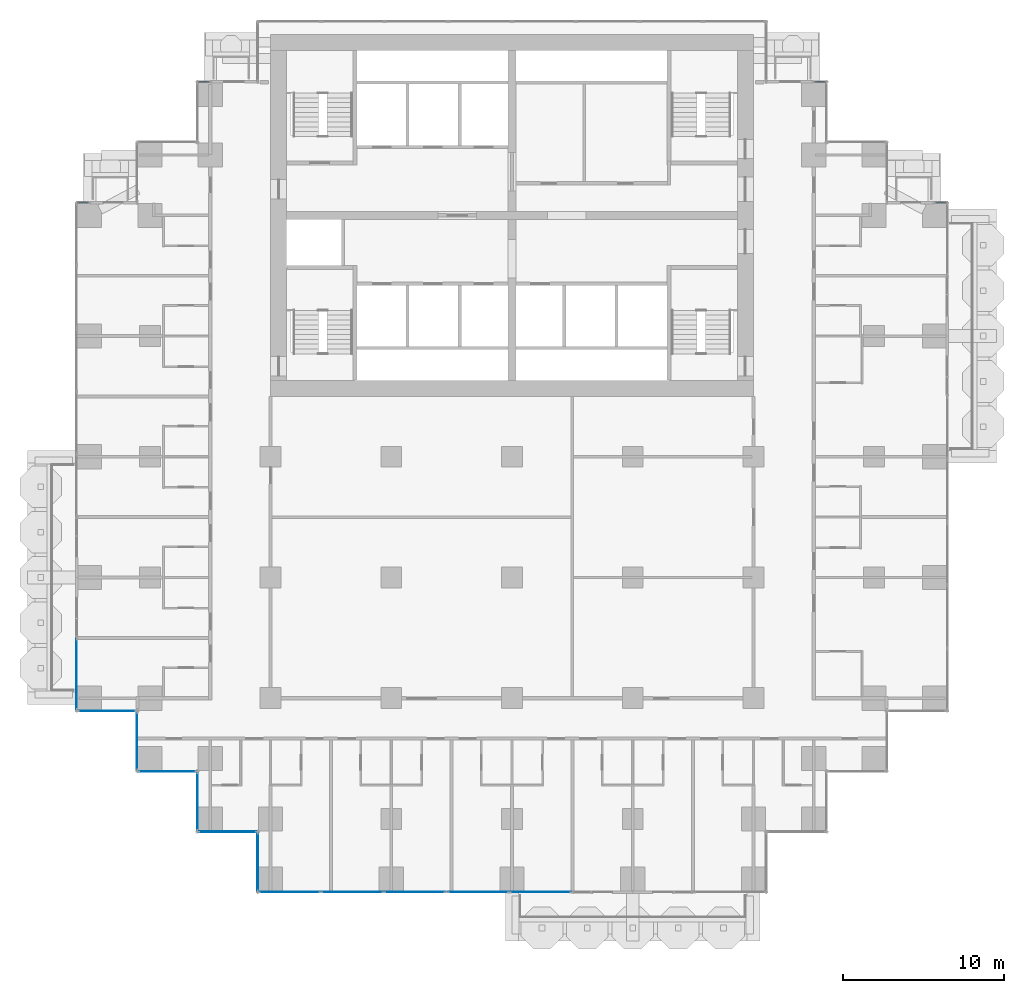
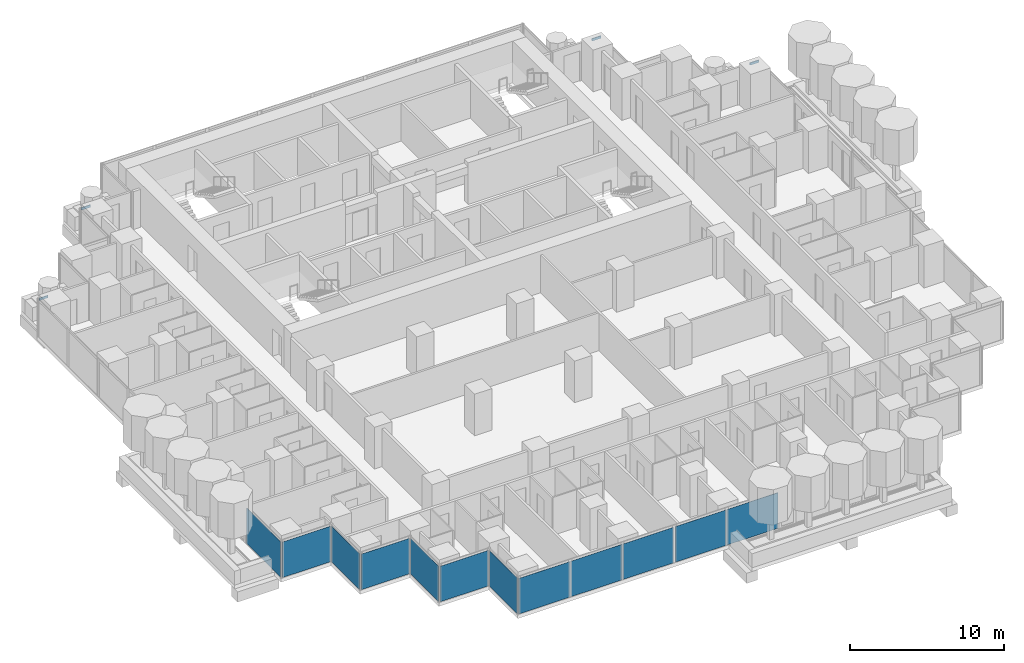
# One storey, part 7 of 20: 12 plates, 4 members, 13 elements without a shape of their own.
"""IFC4 building model written with IfcOpenShell, lengths in metres."""

from ifc_helpers import new_model, si_unit, direction, frame, origin, origin_2d, place, context, subcontext, project, spatial, rectangle, extrude, material, layer, layer_set, material_profile, profile_set, type_object, element, aggregate, save


model = new_model("IFC4")

# Units and contexts
model_context = context("Model", 3, precision=1e-05, world=origin(), true_north=direction((0.0, 1.0)))
body_context = subcontext(model_context, "Body", "Model", "MODEL_VIEW")
ifc_project = project(units=[si_unit("LENGTHUNIT", "METRE"), si_unit("AREAUNIT", "SQUARE_METRE"), si_unit("VOLUMEUNIT", "CUBIC_METRE"), si_unit("PLANEANGLEUNIT", "RADIAN"), si_unit("MASSUNIT", "GRAM", prefix="KILO")], contexts=[model_context])

# Site, building, storey
site_placement = place(None, origin())
site = spatial("IfcSite", under=ifc_project, at=site_placement, CompositionType="ELEMENT")
building_placement = place(site_placement, origin())
building = spatial("IfcBuilding", under=site, at=building_placement, Name="Pilkhan Gate Tower", CompositionType="ELEMENT")
storey_placement = place(building_placement, frame((0.0, 0.0, 85.699951171875)))
storey = spatial("IfcBuildingStorey", under=building, at=storey_placement, Name="L20", CompositionType="ELEMENT", Elevation=85.699951171875)

# Curtain wall, member
ifc_material_1 = material(Name="Pale anodised aluminium, clear low-iron double glazing", Category="aluminium")
curtain_wall_type = type_object("IfcCurtainWallType", Name="Hotel unitised curtain wall CW-H", PredefinedType="USERDEFINED", material=ifc_material_1)
curtain_wall_1_placement = place(storey_placement, origin())
curtain_wall_1 = element("IfcCurtainWall", 1, at=curtain_wall_1_placement, inside=storey, type_object=curtain_wall_type, Name="Hotel unitised curtain wall CW-H L20 N", ObjectType="UNITISED CURTAIN WALL", PredefinedType="USERDEFINED")
ifc_material_2 = material(Name="Pale anodised aluminium", Category="aluminium")
ifc_material_profile = material_profile(ifc_material_2, rectangle(XDim=0.06494140625, YDim=0.179931640625, at=origin_2d()), Name="Transom 180x65")
ifc_profile_set = profile_set([ifc_material_profile], Name="Pale anodised aluminium")
member_type = type_object("IfcMemberType", Name="Transom CW-H 180x65", PredefinedType="USERDEFINED", material=ifc_profile_set)
member_1_placement = place(storey_placement, frame((101.31494140625, 83.294921875, 2.91015625), z_axis=(1.0, 0.0, 0.0), x_axis=(0.0, 1.0, 0.0)))
member_1 = element("IfcMember", 2, at=member_1_placement, type_object=member_type, Name="CW-H transom 1", ObjectType="TRANSOM", PredefinedType="USERDEFINED", context=body_context, shape_type="SweptSolid", body=[
    extrude(rectangle(XDim=0.06494140625, YDim=0.179931640625, at=origin_2d()), origin(), (0.0, 0.0, 1.0), 0.6650390625),
])
aggregate(curtain_wall_1, [member_1])

curtain_wall_2_placement = place(storey_placement, origin())
curtain_wall_2 = element("IfcCurtainWall", 3, at=curtain_wall_2_placement, inside=storey, type_object=curtain_wall_type, Name="Hotel unitised curtain wall CW-H L20 N", ObjectType="UNITISED CURTAIN WALL", PredefinedType="USERDEFINED")
member_2_placement = place(storey_placement, frame((93.81494140625, 90.794921875, 2.91015625), z_axis=(1.0, 0.0, 0.0), x_axis=(0.0, 1.0, 0.0)))
member_2 = element("IfcMember", 4, at=member_2_placement, type_object=member_type, Name="CW-H transom 1", ObjectType="TRANSOM", PredefinedType="USERDEFINED", context=body_context, shape_type="SweptSolid", body=[
    extrude(rectangle(XDim=0.06494140625, YDim=0.179931640625, at=origin_2d()), origin(), (0.0, 0.0, 1.0), 0.6650390625),
])
aggregate(curtain_wall_2, [member_2])

curtain_wall_3_placement = place(storey_placement, origin())
curtain_wall_3 = element("IfcCurtainWall", 5, at=curtain_wall_3_placement, inside=storey, type_object=curtain_wall_type, Name="Hotel unitised curtain wall CW-H L20 N", ObjectType="UNITISED CURTAIN WALL", PredefinedType="USERDEFINED")
member_3_placement = place(storey_placement, frame((55.52001953125, 90.794921875, 2.91015625), z_axis=(1.0, 0.0, 0.0), x_axis=(0.0, 1.0, 0.0)))
member_3 = element("IfcMember", 6, at=member_3_placement, type_object=member_type, Name="CW-H transom 1", ObjectType="TRANSOM", PredefinedType="USERDEFINED", context=body_context, shape_type="SweptSolid", body=[
    extrude(rectangle(XDim=0.06494140625, YDim=0.179931640625, at=origin_2d()), origin(), (0.0, 0.0, 1.0), 0.6650390625),
])
aggregate(curtain_wall_3, [member_3])

curtain_wall_4_placement = place(storey_placement, origin())
curtain_wall_4 = element("IfcCurtainWall", 7, at=curtain_wall_4_placement, inside=storey, type_object=curtain_wall_type, Name="Hotel unitised curtain wall CW-H L20 N", ObjectType="UNITISED CURTAIN WALL", PredefinedType="USERDEFINED")
member_4_placement = place(storey_placement, frame((48.02001953125, 83.294921875, 2.91015625), z_axis=(1.0, 0.0, 0.0), x_axis=(0.0, 1.0, 0.0)))
member_4 = element("IfcMember", 8, at=member_4_placement, type_object=member_type, Name="CW-H transom 1", ObjectType="TRANSOM", PredefinedType="USERDEFINED", context=body_context, shape_type="SweptSolid", body=[
    extrude(rectangle(XDim=0.06494140625, YDim=0.179931640625, at=origin_2d()), origin(), (0.0, 0.0, 1.0), 0.6650390625),
])
aggregate(curtain_wall_4, [member_4])

# Curtain wall, plate
curtain_wall_5_placement = place(storey_placement, origin())
curtain_wall_5 = element("IfcCurtainWall", 9, at=curtain_wall_5_placement, inside=storey, type_object=curtain_wall_type, Name="Hotel unitised curtain wall CW-H L20 W", ObjectType="UNITISED CURTAIN WALL", PredefinedType="USERDEFINED")
ifc_material_3 = material(Name="Clear low-iron double glazing", Category="glass")
ifc_layer = layer(ifc_material_3, 0.035888671875)
ifc_layer_set = layer_set([ifc_layer], Name="Glass panel CW-H 36")
plate_type = type_object("IfcPlateType", Name="Glass panel CW-H 36", PredefinedType="CURTAIN_PANEL", material=ifc_layer_set)
plate_1_placement = place(storey_placement, frame((47.955078125, 53.9775390625, 0.0), z_axis=(0.0, 0.0, 1.0), x_axis=(0.0, 1.0, 0.0)))
plate_1 = element("IfcPlate", 10, at=plate_1_placement, type_object=plate_type, Name="CW-H panel 1", PredefinedType="CURTAIN_PANEL", context=body_context, shape_type="SweptSolid", body=[
    extrude(rectangle(XDim=4.4150390625, YDim=0.035888671875, at=origin_2d()), origin(), (0.0, 0.0, 1.0), 2.820068359375),
])
aggregate(curtain_wall_5, [plate_1])

curtain_wall_6_placement = place(storey_placement, origin())
curtain_wall_6 = element("IfcCurtainWall", 11, at=curtain_wall_6_placement, inside=storey, type_object=curtain_wall_type, Name="Hotel unitised curtain wall CW-H L20 S", ObjectType="UNITISED CURTAIN WALL", PredefinedType="USERDEFINED")
plate_2_placement = place(storey_placement, frame((49.830078125, 51.705078125, 0.0), z_axis=(0.0, 0.0, 1.0), x_axis=(1.0, 0.0, 0.0)))
plate_2 = element("IfcPlate", 12, at=plate_2_placement, type_object=plate_type, Name="CW-H panel 1", PredefinedType="CURTAIN_PANEL", context=body_context, shape_type="SweptSolid", body=[
    extrude(rectangle(XDim=3.6201171875, YDim=0.035888671875, at=origin_2d()), origin(), (0.0, 0.0, 1.0), 2.820068359375),
])
aggregate(curtain_wall_6, [plate_2])

curtain_wall_7_placement = place(storey_placement, origin())
curtain_wall_7 = element("IfcCurtainWall", 13, at=curtain_wall_7_placement, inside=storey, type_object=curtain_wall_type, Name="Hotel unitised curtain wall CW-H L20 W", ObjectType="UNITISED CURTAIN WALL", PredefinedType="USERDEFINED")
plate_3_placement = place(storey_placement, frame((51.705078125, 49.830078125, 0.0), z_axis=(0.0, 0.0, 1.0), x_axis=(0.0, 1.0, 0.0)))
plate_3 = element("IfcPlate", 14, at=plate_3_placement, type_object=plate_type, Name="CW-H panel 1", PredefinedType="CURTAIN_PANEL", context=body_context, shape_type="SweptSolid", body=[
    extrude(rectangle(XDim=3.6201171875, YDim=0.035888671875, at=origin_2d()), origin(), (0.0, 0.0, 1.0), 2.820068359375),
])
aggregate(curtain_wall_7, [plate_3])

curtain_wall_8_placement = place(storey_placement, origin())
curtain_wall_8 = element("IfcCurtainWall", 15, at=curtain_wall_8_placement, inside=storey, type_object=curtain_wall_type, Name="Hotel unitised curtain wall CW-H L20 S", ObjectType="UNITISED CURTAIN WALL", PredefinedType="USERDEFINED")
plate_4_placement = place(storey_placement, frame((53.580078125, 47.955078125, 0.0), z_axis=(0.0, 0.0, 1.0), x_axis=(1.0, 0.0, 0.0)))
plate_4 = element("IfcPlate", 16, at=plate_4_placement, type_object=plate_type, Name="CW-H panel 1", PredefinedType="CURTAIN_PANEL", context=body_context, shape_type="SweptSolid", body=[
    extrude(rectangle(XDim=3.6201171875, YDim=0.035888671875, at=origin_2d()), origin(), (0.0, 0.0, 1.0), 2.820068359375),
])
aggregate(curtain_wall_8, [plate_4])

curtain_wall_9_placement = place(storey_placement, origin())
curtain_wall_9 = element("IfcCurtainWall", 17, at=curtain_wall_9_placement, inside=storey, type_object=curtain_wall_type, Name="Hotel unitised curtain wall CW-H L20 W", ObjectType="UNITISED CURTAIN WALL", PredefinedType="USERDEFINED")
plate_5_placement = place(storey_placement, frame((55.455078125, 46.080078125, 0.0), z_axis=(0.0, 0.0, 1.0), x_axis=(0.0, 1.0, 0.0)))
plate_5 = element("IfcPlate", 18, at=plate_5_placement, type_object=plate_type, Name="CW-H panel 1", PredefinedType="CURTAIN_PANEL", context=body_context, shape_type="SweptSolid", body=[
    extrude(rectangle(XDim=3.6201171875, YDim=0.035888671875, at=origin_2d()), origin(), (0.0, 0.0, 1.0), 2.820068359375),
])
aggregate(curtain_wall_9, [plate_5])

curtain_wall_10_placement = place(storey_placement, origin())
curtain_wall_10 = element("IfcCurtainWall", 19, at=curtain_wall_10_placement, inside=storey, type_object=curtain_wall_type, Name="Hotel unitised curtain wall CW-H L20 S", ObjectType="UNITISED CURTAIN WALL", PredefinedType="USERDEFINED")
plate_6_placement = place(storey_placement, frame((57.330078125, 44.205078125, 0.0), z_axis=(0.0, 0.0, 1.0), x_axis=(1.0, 0.0, 0.0)))
plate_6 = element("IfcPlate", 20, at=plate_6_placement, type_object=plate_type, Name="CW-H panel 1", PredefinedType="CURTAIN_PANEL", context=body_context, shape_type="SweptSolid", body=[
    extrude(rectangle(XDim=3.6201171875, YDim=0.035888671875, at=origin_2d()), origin(), (0.0, 0.0, 1.0), 2.820068359375),
])
aggregate(curtain_wall_10, [plate_6])

curtain_wall_11_placement = place(storey_placement, origin())
curtain_wall_11 = element("IfcCurtainWall", 21, at=curtain_wall_11_placement, inside=storey, type_object=curtain_wall_type, Name="Hotel unitised curtain wall CW-H L20 W", ObjectType="UNITISED CURTAIN WALL", PredefinedType="USERDEFINED")
plate_7_placement = place(storey_placement, frame((59.205078125, 42.330078125, 0.0), z_axis=(0.0, 0.0, 1.0), x_axis=(0.0, 1.0, 0.0)))
plate_7 = element("IfcPlate", 22, at=plate_7_placement, type_object=plate_type, Name="CW-H panel 1", PredefinedType="CURTAIN_PANEL", context=body_context, shape_type="SweptSolid", body=[
    extrude(rectangle(XDim=3.6201171875, YDim=0.035888671875, at=origin_2d()), origin(), (0.0, 0.0, 1.0), 2.820068359375),
])
aggregate(curtain_wall_11, [plate_7])

# Curtain wall, plates
curtain_wall_12_placement = place(storey_placement, origin())
curtain_wall_12 = element("IfcCurtainWall", 23, at=curtain_wall_12_placement, inside=storey, type_object=curtain_wall_type, Name="Hotel unitised curtain wall CW-H L20 S", ObjectType="UNITISED CURTAIN WALL", PredefinedType="USERDEFINED")
plate_8_placement = place(storey_placement, frame((61.17578125, 40.455078125, 0.0), z_axis=(0.0, 0.0, 1.0), x_axis=(1.0, 0.0, 0.0)))
plate_8 = element("IfcPlate", 24, at=plate_8_placement, type_object=plate_type, Name="CW-H panel 1", PredefinedType="CURTAIN_PANEL", context=body_context, shape_type="SweptSolid", body=[
    extrude(rectangle(XDim=3.8115234375, YDim=0.035888671875, at=origin_2d()), origin(), (0.0, 0.0, 1.0), 2.820068359375),
])
plate_9_placement = place(storey_placement, frame((65.068603515625, 40.455078125, 0.0), z_axis=(0.0, 0.0, 1.0), x_axis=(1.0, 0.0, 0.0)))
plate_9 = element("IfcPlate", 25, at=plate_9_placement, type_object=plate_type, Name="CW-H panel 2", PredefinedType="CURTAIN_PANEL", context=body_context, shape_type="SweptSolid", body=[
    extrude(rectangle(XDim=3.843994140625, YDim=0.035888671875, at=origin_2d()), origin(), (0.0, 0.0, 1.0), 2.820068359375),
])
plate_10_placement = place(storey_placement, frame((68.961181640625, 40.455078125, 0.0), z_axis=(0.0, 0.0, 1.0), x_axis=(1.0, 0.0, 0.0)))
plate_10 = element("IfcPlate", 26, at=plate_10_placement, type_object=plate_type, Name="CW-H panel 3", PredefinedType="CURTAIN_PANEL", context=body_context, shape_type="SweptSolid", body=[
    extrude(rectangle(XDim=3.8115234375, YDim=0.035888671875, at=origin_2d()), origin(), (0.0, 0.0, 1.0), 2.820068359375),
])
aggregate(curtain_wall_12, [plate_8, plate_9, plate_10])

curtain_wall_13_placement = place(storey_placement, origin())
curtain_wall_13 = element("IfcCurtainWall", 27, at=curtain_wall_13_placement, inside=storey, type_object=curtain_wall_type, Name="Hotel unitised curtain wall CW-H L20 S", ObjectType="UNITISED CURTAIN WALL", PredefinedType="USERDEFINED")
plate_11_placement = place(storey_placement, frame((72.90283203125, 40.455078125, 0.0), z_axis=(0.0, 0.0, 1.0), x_axis=(1.0, 0.0, 0.0)))
plate_11 = element("IfcPlate", 28, at=plate_11_placement, type_object=plate_type, Name="CW-H panel 1", PredefinedType="CURTAIN_PANEL", context=body_context, shape_type="SweptSolid", body=[
    extrude(rectangle(XDim=3.8115234375, YDim=0.035888671875, at=origin_2d()), origin(), (0.0, 0.0, 1.0), 2.820068359375),
])
plate_12_placement = place(storey_placement, frame((76.779296875, 40.455078125, 0.0), z_axis=(0.0, 0.0, 1.0), x_axis=(1.0, 0.0, 0.0)))
plate_12 = element("IfcPlate", 29, at=plate_12_placement, type_object=plate_type, Name="CW-H panel 2", PredefinedType="CURTAIN_PANEL", context=body_context, shape_type="SweptSolid", body=[
    extrude(rectangle(XDim=3.8115234375, YDim=0.035888671875, at=origin_2d()), origin(), (0.0, 0.0, 1.0), 2.820068359375),
])
aggregate(curtain_wall_13, [plate_11, plate_12])

save(model, "model.ifc")
